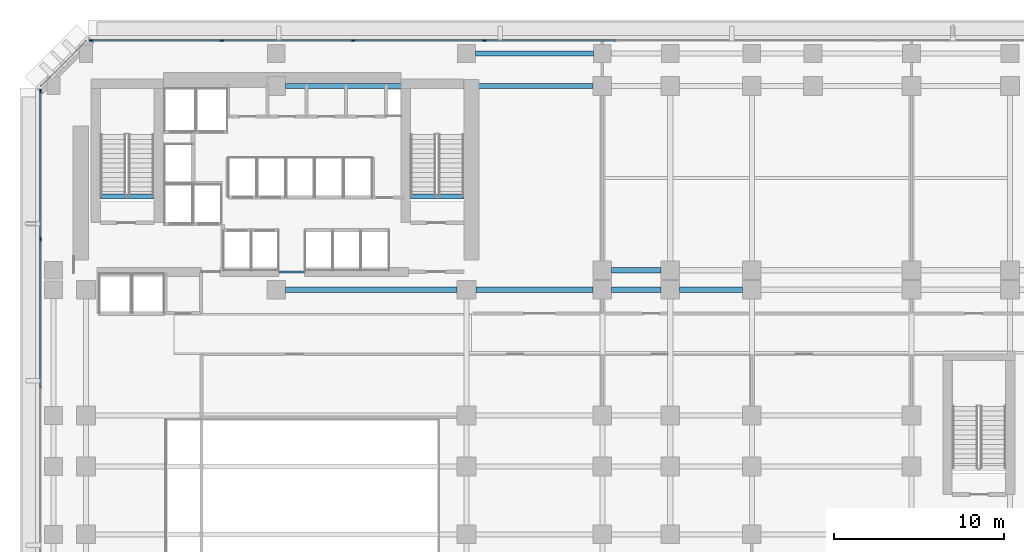
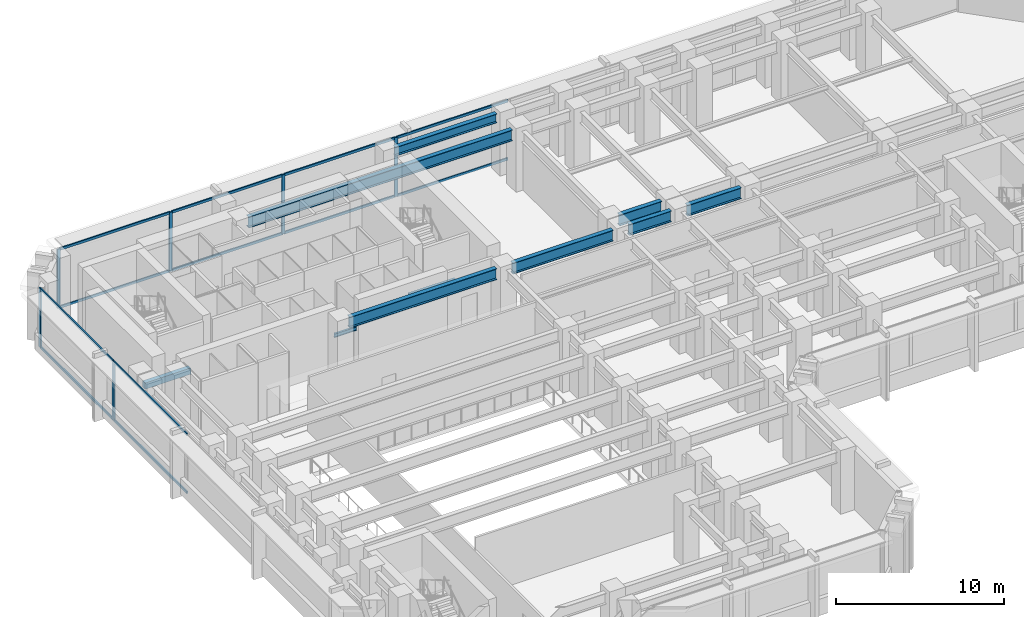
# One storey, part 4 of 16: 18 members, 10 beams, 2 elements without a shape of their own.
"""IFC4 building model written with IfcOpenShell, lengths in metres."""

from ifc_helpers import new_model, si_unit, direction, frame, origin, origin_2d, place, context, subcontext, project, spatial, rectangle, i_section, extrude, material, layer, layer_set, material_profile, profile_set, type_object, element, aggregate, save


model = new_model("IFC4")

# Units and contexts
model_context = context("Model", 3, precision=1e-05, world=origin(), true_north=direction((0.0, 1.0)))
body_context = subcontext(model_context, "Body", "Model", "MODEL_VIEW")
ifc_project = project(units=[si_unit("LENGTHUNIT", "METRE"), si_unit("AREAUNIT", "SQUARE_METRE"), si_unit("VOLUMEUNIT", "CUBIC_METRE"), si_unit("PLANEANGLEUNIT", "RADIAN"), si_unit("MASSUNIT", "GRAM", prefix="KILO")], contexts=[model_context])

# Site, building, storey
site_placement = place(None, origin())
site = spatial("IfcSite", under=ifc_project, at=site_placement, CompositionType="ELEMENT")
building_placement = place(site_placement, origin())
building = spatial("IfcBuilding", under=site, at=building_placement, Name="Kefirva Bronze Tower", CompositionType="ELEMENT")
storey_placement = place(building_placement, frame((0.0, 0.0, 16.5)))
storey = spatial("IfcBuildingStorey", under=building, at=storey_placement, Name="L03", CompositionType="ELEMENT", Elevation=16.5)

# Curtain wall, members
ifc_material_1 = material(Name="Bronze anodised aluminium", Category="aluminium")
ifc_layer = layer(ifc_material_1, 0.239990234375, Name="Bronze anodised aluminium")
ifc_layer_set = layer_set([ifc_layer], Name="Bronze anodised aluminium")
curtain_wall_type = type_object("IfcCurtainWallType", Name="Podium Double-Height Glazed Curtain Wall", PredefinedType="USERDEFINED", material=ifc_layer_set)
curtain_wall_1_placement = place(storey_placement, origin())
curtain_wall_1 = element("IfcCurtainWall", 1, at=curtain_wall_1_placement, inside=storey, type_object=curtain_wall_type, Name="L03 Curtain Wall 4", ObjectType="UNITISED CURTAIN WALL", PredefinedType="USERDEFINED")
ifc_material_profile_1 = material_profile(ifc_material_1, rectangle(XDim=0.090087890625, YDim=0.219970703125, at=origin_2d()), Name="ALU 90x220")
ifc_profile_set_1 = profile_set([ifc_material_profile_1], Name="Bronze anodised aluminium")
member_type_1 = type_object("IfcMemberType", Name="Bronze Mullion 90x220", PredefinedType="MULLION", material=ifc_profile_set_1)
member_1_placement = place(storey_placement, frame((24.263671875, 47.8798828125, 0.0), z_axis=(0.0, 0.0, 1.0), x_axis=(0.0, -1.0, 0.0)))
member_1 = element("IfcMember", 2, at=member_1_placement, type_object=member_type_1, Name="CW-05 mullion 6", PredefinedType="MULLION", context=body_context, shape_type="SweptSolid", body=[
    extrude(rectangle(XDim=0.090087890625, YDim=0.219970703125, at=origin_2d()), origin(), (0.0, 0.0, 1.0), 4.300048828125),
])
member_2_placement = place(storey_placement, frame((16.527587890625, 47.8798828125, 0.0), z_axis=(0.0, 0.0, 1.0), x_axis=(0.0, -1.0, 0.0)))
member_2 = element("IfcMember", 3, at=member_2_placement, type_object=member_type_1, Name="CW-05 mullion 7", PredefinedType="MULLION", context=body_context, shape_type="SweptSolid", body=[
    extrude(rectangle(XDim=0.090087890625, YDim=0.219970703125, at=origin_2d()), origin(), (0.0, 0.0, 1.0), 4.300048828125),
])
member_3_placement = place(storey_placement, frame((8.791259765625, 47.8798828125, 0.0), z_axis=(0.0, 0.0, 1.0), x_axis=(0.0, -1.0, 0.0)))
member_3 = element("IfcMember", 4, at=member_3_placement, type_object=member_type_1, Name="CW-05 mullion 8", PredefinedType="MULLION", context=body_context, shape_type="SweptSolid", body=[
    extrude(rectangle(XDim=0.090087890625, YDim=0.219970703125, at=origin_2d()), origin(), (0.0, 0.0, 1.0), 4.300048828125),
])
member_4_placement = place(storey_placement, frame((1.10009765625, 47.8798828125, 0.0), z_axis=(0.0, 0.0, 1.0), x_axis=(0.0, -1.0, 0.0)))
member_4 = element("IfcMember", 5, at=member_4_placement, type_object=member_type_1, Name="CW-05 mullion 9", PredefinedType="MULLION", context=body_context, shape_type="SweptSolid", body=[
    extrude(rectangle(XDim=0.090087890625, YDim=0.219970703125, at=origin_2d()), origin(), (0.0, 0.0, 1.0), 4.300048828125),
])

curtain_wall_2_placement = place(storey_placement, origin())
curtain_wall_2 = element("IfcCurtainWall", 6, at=curtain_wall_2_placement, inside=storey, type_object=curtain_wall_type, Name="L03 Curtain Wall 5", ObjectType="UNITISED CURTAIN WALL", PredefinedType="USERDEFINED")
member_5_placement = place(storey_placement, frame((-1.8798828125, 44.89990234375, 0.0), z_axis=(0.0, 0.0, 1.0), x_axis=(1.0, 0.0, 0.0)))
member_5 = element("IfcMember", 7, at=member_5_placement, type_object=member_type_1, Name="CW-05 mullion 1", PredefinedType="MULLION", context=body_context, shape_type="SweptSolid", body=[
    extrude(rectangle(XDim=0.090087890625, YDim=0.219970703125, at=origin_2d()), origin(), (0.0, 0.0, 1.0), 4.300048828125),
])
member_6_placement = place(storey_placement, frame((-1.8798828125, 36.1669921875, 0.0), z_axis=(0.0, 0.0, 1.0), x_axis=(1.0, 0.0, 0.0)))
member_6 = element("IfcMember", 8, at=member_6_placement, type_object=member_type_1, Name="CW-05 mullion 2", PredefinedType="MULLION", context=body_context, shape_type="SweptSolid", body=[
    extrude(rectangle(XDim=0.090087890625, YDim=0.219970703125, at=origin_2d()), origin(), (0.0, 0.0, 1.0), 4.300048828125),
])

# Member
ifc_material_profile_2 = material_profile(ifc_material_1, rectangle(XDim=0.090087890625, YDim=0.179931640625, at=origin_2d()), Name="ALU 90x180")
ifc_profile_set_2 = profile_set([ifc_material_profile_2], Name="Bronze anodised aluminium")
member_type_2 = type_object("IfcMemberType", Name="Bronze Transom 90x180", PredefinedType="USERDEFINED", material=ifc_profile_set_2)
member_7_placement = place(storey_placement, frame((31.955078125, 47.8798828125, 0.044921875), z_axis=(-1.0, 0.0, 0.0), x_axis=(0.0, -1.0, 0.0)))
member_7 = element("IfcMember", 9, at=member_7_placement, type_object=member_type_2, Name="CW-05 transom 5.1", ObjectType="TRANSOM", PredefinedType="USERDEFINED", context=body_context, shape_type="SweptSolid", body=[
    extrude(rectangle(XDim=0.090087890625, YDim=0.179931640625, at=origin_2d()), origin(), (0.0, 0.0, 1.0), 7.646240234375),
])

member_8_placement = place(storey_placement, frame((31.955078125, 47.8798828125, 4.2548828125), z_axis=(-1.0, 0.0, 0.0), x_axis=(0.0, -1.0, 0.0)))
member_8 = element("IfcMember", 10, at=member_8_placement, type_object=member_type_2, Name="CW-05 transom 5.2", ObjectType="TRANSOM", PredefinedType="USERDEFINED", context=body_context, shape_type="SweptSolid", body=[
    extrude(rectangle(XDim=0.090087890625, YDim=0.179931640625, at=origin_2d()), origin(), (0.0, 0.0, 1.0), 7.646240234375),
])

member_9_placement = place(storey_placement, frame((24.21875, 47.8798828125, 0.044921875), z_axis=(-1.0, 0.0, 0.0), x_axis=(0.0, -1.0, 0.0)))
member_9 = element("IfcMember", 11, at=member_9_placement, type_object=member_type_2, Name="CW-05 transom 6.1", ObjectType="TRANSOM", PredefinedType="USERDEFINED", context=body_context, shape_type="SweptSolid", body=[
    extrude(rectangle(XDim=0.090087890625, YDim=0.179931640625, at=origin_2d()), origin(), (0.0, 0.0, 1.0), 7.646240234375),
])

member_10_placement = place(storey_placement, frame((24.21875, 47.8798828125, 4.2548828125), z_axis=(-1.0, 0.0, 0.0), x_axis=(0.0, -1.0, 0.0)))
member_10 = element("IfcMember", 12, at=member_10_placement, type_object=member_type_2, Name="CW-05 transom 6.2", ObjectType="TRANSOM", PredefinedType="USERDEFINED", context=body_context, shape_type="SweptSolid", body=[
    extrude(rectangle(XDim=0.090087890625, YDim=0.179931640625, at=origin_2d()), origin(), (0.0, 0.0, 1.0), 7.646240234375),
])

member_11_placement = place(storey_placement, frame((16.482421875, 47.8798828125, 0.044921875), z_axis=(-1.0, 0.0, 0.0), x_axis=(0.0, -1.0, 0.0)))
member_11 = element("IfcMember", 13, at=member_11_placement, type_object=member_type_2, Name="CW-05 transom 7.1", ObjectType="TRANSOM", PredefinedType="USERDEFINED", context=body_context, shape_type="SweptSolid", body=[
    extrude(rectangle(XDim=0.090087890625, YDim=0.179931640625, at=origin_2d()), origin(), (0.0, 0.0, 1.0), 7.646240234375),
])

member_12_placement = place(storey_placement, frame((16.482421875, 47.8798828125, 4.2548828125), z_axis=(-1.0, 0.0, 0.0), x_axis=(0.0, -1.0, 0.0)))
member_12 = element("IfcMember", 14, at=member_12_placement, type_object=member_type_2, Name="CW-05 transom 7.2", ObjectType="TRANSOM", PredefinedType="USERDEFINED", context=body_context, shape_type="SweptSolid", body=[
    extrude(rectangle(XDim=0.090087890625, YDim=0.179931640625, at=origin_2d()), origin(), (0.0, 0.0, 1.0), 7.646240234375),
])

member_13_placement = place(storey_placement, frame((8.746337890625, 47.8798828125, 0.044921875), z_axis=(-1.0, 0.0, 0.0), x_axis=(0.0, -1.0, 0.0)))
member_13 = element("IfcMember", 15, at=member_13_placement, type_object=member_type_2, Name="CW-05 transom 8.1", ObjectType="TRANSOM", PredefinedType="USERDEFINED", context=body_context, shape_type="SweptSolid", body=[
    extrude(rectangle(XDim=0.090087890625, YDim=0.179931640625, at=origin_2d()), origin(), (0.0, 0.0, 1.0), 7.601318359375),
])

member_14_placement = place(storey_placement, frame((8.746337890625, 47.8798828125, 4.2548828125), z_axis=(-1.0, 0.0, 0.0), x_axis=(0.0, -1.0, 0.0)))
member_14 = element("IfcMember", 16, at=member_14_placement, type_object=member_type_2, Name="CW-05 transom 8.2", ObjectType="TRANSOM", PredefinedType="USERDEFINED", context=body_context, shape_type="SweptSolid", body=[
    extrude(rectangle(XDim=0.090087890625, YDim=0.179931640625, at=origin_2d()), origin(), (0.0, 0.0, 1.0), 7.601318359375),
])

aggregate(curtain_wall_1, [member_1, member_2, member_3, member_4, member_7, member_8, member_9, member_10, member_11, member_12, member_13, member_14])

member_15_placement = place(storey_placement, frame((-1.8798828125, 44.85498046875, 0.044921875), z_axis=(0.0, -1.0, 0.0), x_axis=(1.0, 0.0, 0.0)))
member_15 = element("IfcMember", 17, at=member_15_placement, type_object=member_type_2, Name="CW-05 transom 1.1", ObjectType="TRANSOM", PredefinedType="USERDEFINED", context=body_context, shape_type="SweptSolid", body=[
    extrude(rectangle(XDim=0.090087890625, YDim=0.179931640625, at=origin_2d()), origin(), (0.0, 0.0, 1.0), 8.64306640625),
])

member_16_placement = place(storey_placement, frame((-1.8798828125, 44.85498046875, 4.2548828125), z_axis=(0.0, -1.0, 0.0), x_axis=(1.0, 0.0, 0.0)))
member_16 = element("IfcMember", 18, at=member_16_placement, type_object=member_type_2, Name="CW-05 transom 1.2", ObjectType="TRANSOM", PredefinedType="USERDEFINED", context=body_context, shape_type="SweptSolid", body=[
    extrude(rectangle(XDim=0.090087890625, YDim=0.179931640625, at=origin_2d()), origin(), (0.0, 0.0, 1.0), 8.64306640625),
])

member_17_placement = place(storey_placement, frame((-1.8798828125, 36.1220703125, 0.044921875), z_axis=(0.0, -1.0, 0.0), x_axis=(1.0, 0.0, 0.0)))
member_17 = element("IfcMember", 19, at=member_17_placement, type_object=member_type_2, Name="CW-05 transom 2.1", ObjectType="TRANSOM", PredefinedType="USERDEFINED", context=body_context, shape_type="SweptSolid", body=[
    extrude(rectangle(XDim=0.090087890625, YDim=0.179931640625, at=origin_2d()), origin(), (0.0, 0.0, 1.0), 8.68798828125),
])

member_18_placement = place(storey_placement, frame((-1.8798828125, 36.1220703125, 4.2548828125), z_axis=(0.0, -1.0, 0.0), x_axis=(1.0, 0.0, 0.0)))
member_18 = element("IfcMember", 20, at=member_18_placement, type_object=member_type_2, Name="CW-05 transom 2.2", ObjectType="TRANSOM", PredefinedType="USERDEFINED", context=body_context, shape_type="SweptSolid", body=[
    extrude(rectangle(XDim=0.090087890625, YDim=0.179931640625, at=origin_2d()), origin(), (0.0, 0.0, 1.0), 8.68798828125),
])

aggregate(curtain_wall_2, [member_5, member_6, member_15, member_16, member_17, member_18])

# Beams
ifc_material_2 = material(Name="Concrete C50/60", Category="concrete")
ifc_material_profile_3 = material_profile(ifc_material_2, rectangle(XDim=0.300048828125, YDim=0.449951171875, at=origin_2d()), Name="RC 300x450")
ifc_profile_set_3 = profile_set([ifc_material_profile_3], Name="Concrete C50/60")
beam_type_1 = type_object("IfcBeamType", Name="RC Stair Trimmer Beam 300x450", PredefinedType="BEAM", material=ifc_profile_set_3)
beam_1_placement = place(storey_placement, frame((1.64501953125, 38.699951171875, -0.22509765625), z_axis=(1.0, 0.0, 0.0), x_axis=(0.0, 1.0, 0.0)))
element("IfcBeam", 21, at=beam_1_placement, inside=storey, type_object=beam_type_1, Name="L03 Stair 1 Landing Trimmer Beam", PredefinedType="BEAM", context=body_context, shape_type="SweptSolid", body=[
    extrude(rectangle(XDim=0.300048828125, YDim=0.449951171875, at=origin_2d()), origin(), (0.0, 0.0, 1.0), 3.14990234375),
])
beam_2_placement = place(storey_placement, frame((19.89501953125, 38.699951171875, -0.22509765625), z_axis=(1.0, 0.0, 0.0), x_axis=(0.0, 1.0, 0.0)))
element("IfcBeam", 22, at=beam_2_placement, inside=storey, type_object=beam_type_1, Name="L03 Stair 2 Landing Trimmer Beam", PredefinedType="BEAM", context=body_context, shape_type="SweptSolid", body=[
    extrude(rectangle(XDim=0.300048828125, YDim=0.449951171875, at=origin_2d()), origin(), (0.0, 0.0, 1.0), 3.159912109375),
])
ifc_material_3 = material(Name="Steel S355", Category="steel")
ifc_material_profile_4 = material_profile(ifc_material_3, i_section(OverallWidth=0.300048828125, OverallDepth=0.800048828125, WebThickness=0.017578125, FlangeThickness=0.032958984375, at=origin_2d()), Name="HEB 800")
ifc_profile_set_4 = profile_set([ifc_material_profile_4], Name="Steel S355")
beam_type_2 = type_object("IfcBeamType", Name="Steel Girder HEB 800", PredefinedType="USERDEFINED", material=ifc_profile_set_4)
beam_3_placement = place(storey_placement, frame((12.550048828125, 33.199951171875, 3.89990234375), z_axis=(1.0, 0.0, 0.0), x_axis=(0.0, 1.0, 0.0)))
element("IfcBeam", 23, at=beam_3_placement, inside=storey, type_object=beam_type_2, Name="L03 BM-L03-EW-12-332", ObjectType="GIRDER", PredefinedType="USERDEFINED", context=body_context, shape_type="SweptSolid", body=[
    extrude(i_section(OverallWidth=0.300048828125, OverallDepth=0.800048828125, WebThickness=0.017578125, FlangeThickness=0.032958984375, at=origin_2d()), origin(), (0.0, 0.0, 1.0), 10.099853515625),
])
beam_4_placement = place(storey_placement, frame((23.75, 33.199951171875, 3.89990234375), z_axis=(1.0, 0.0, 0.0), x_axis=(0.0, 1.0, 0.0)))
element("IfcBeam", 24, at=beam_4_placement, inside=storey, type_object=beam_type_2, Name="L03 BM-L03-EW-23-332", ObjectType="GIRDER", PredefinedType="USERDEFINED", context=body_context, shape_type="SweptSolid", body=[
    extrude(i_section(OverallWidth=0.300048828125, OverallDepth=0.800048828125, WebThickness=0.017578125, FlangeThickness=0.032958984375, at=origin_2d()), origin(), (0.0, 0.0, 1.0), 6.89990234375),
])
beam_5_placement = place(storey_placement, frame((31.75, 33.199951171875, 3.89990234375), z_axis=(1.0, 0.0, 0.0), x_axis=(0.0, 1.0, 0.0)))
element("IfcBeam", 25, at=beam_5_placement, inside=storey, type_object=beam_type_2, Name="L03 BM-L03-EW-31-332", ObjectType="GIRDER", PredefinedType="USERDEFINED", context=body_context, shape_type="SweptSolid", body=[
    extrude(i_section(OverallWidth=0.300048828125, OverallDepth=0.800048828125, WebThickness=0.017578125, FlangeThickness=0.032958984375, at=origin_2d()), origin(), (0.0, 0.0, 1.0), 2.89990234375),
])
beam_6_placement = place(storey_placement, frame((35.75, 33.199951171875, 3.89990234375), z_axis=(1.0, 0.0, 0.0), x_axis=(0.0, 1.0, 0.0)))
element("IfcBeam", 26, at=beam_6_placement, inside=storey, type_object=beam_type_2, Name="L03 BM-L03-EW-35-332", ObjectType="GIRDER", PredefinedType="USERDEFINED", context=body_context, shape_type="SweptSolid", body=[
    extrude(i_section(OverallWidth=0.300048828125, OverallDepth=0.800048828125, WebThickness=0.017578125, FlangeThickness=0.032958984375, at=origin_2d()), origin(), (0.0, 0.0, 1.0), 3.699951171875),
])
beam_7_placement = place(storey_placement, frame((31.75, 34.35009765625, 3.89990234375), z_axis=(1.0, 0.0, 0.0), x_axis=(0.0, 1.0, 0.0)))
element("IfcBeam", 27, at=beam_7_placement, inside=storey, type_object=beam_type_2, Name="L03 BM-L03-EW-31-344", ObjectType="GIRDER", PredefinedType="USERDEFINED", context=body_context, shape_type="SweptSolid", body=[
    extrude(i_section(OverallWidth=0.300048828125, OverallDepth=0.800048828125, WebThickness=0.017578125, FlangeThickness=0.032958984375, at=origin_2d()), origin(), (0.0, 0.0, 1.0), 2.89990234375),
])
beam_8_placement = place(storey_placement, frame((12.550048828125, 45.199951171875, 3.89990234375), z_axis=(1.0, 0.0, 0.0), x_axis=(0.0, 1.0, 0.0)))
element("IfcBeam", 28, at=beam_8_placement, inside=storey, type_object=beam_type_2, Name="L03 BM-L03-EW-12-452", ObjectType="GIRDER", PredefinedType="USERDEFINED", context=body_context, shape_type="SweptSolid", body=[
    extrude(i_section(OverallWidth=0.300048828125, OverallDepth=0.800048828125, WebThickness=0.017578125, FlangeThickness=0.032958984375, at=origin_2d()), origin(), (0.0, 0.0, 1.0), 18.099853515625),
])
ifc_material_profile_5 = material_profile(ifc_material_3, i_section(OverallWidth=0.135009765625, OverallDepth=0.27001953125, WebThickness=0.006591796875, FlangeThickness=0.01025390625, at=origin_2d()), Name="IPE 270")
ifc_profile_set_5 = profile_set([ifc_material_profile_5], Name="Steel S355")
beam_type_3 = type_object("IfcBeamType", Name="Steel Opening Lintel IPE 270", PredefinedType="LINTEL", material=ifc_profile_set_5)
beam_9_placement = place(storey_placement, frame((12.159912109375, 34.25, 2.39990234375), z_axis=(1.0, 0.0, 0.0), x_axis=(0.0, 1.0, 0.0)))
element("IfcBeam", 29, at=beam_9_placement, inside=storey, type_object=beam_type_3, Name="L03 Core Lobby Lintel", PredefinedType="LINTEL", context=body_context, shape_type="SweptSolid", body=[
    extrude(i_section(OverallWidth=0.135009765625, OverallDepth=0.27001953125, WebThickness=0.006591796875, FlangeThickness=0.01025390625, at=origin_2d()), origin(), (0.0, 0.0, 1.0), 1.52001953125),
])
ifc_material_profile_6 = material_profile(ifc_material_3, i_section(OverallWidth=0.300048828125, OverallDepth=0.64990234375, WebThickness=0.01611328125, FlangeThickness=0.031005859375, at=origin_2d()), Name="HEB 650")
ifc_profile_set_6 = profile_set([ifc_material_profile_6], Name="Steel S355")
beam_type_4 = type_object("IfcBeamType", Name="Steel Spandrel HEB 650 Ext", PredefinedType="SPANDREL", material=ifc_profile_set_6)
beam_10_placement = place(storey_placement, frame((23.72509765625, 47.10009765625, 3.97509765625), z_axis=(1.0, 0.0, 0.0), x_axis=(0.0, 1.0, 0.0)))
element("IfcBeam", 30, at=beam_10_placement, inside=storey, type_object=beam_type_4, Name="L03 BM-L03-EW-23-471", PredefinedType="SPANDREL", context=body_context, shape_type="SweptSolid", body=[
    extrude(i_section(OverallWidth=0.300048828125, OverallDepth=0.64990234375, WebThickness=0.01611328125, FlangeThickness=0.031005859375, at=origin_2d()), origin(), (0.0, 0.0, 1.0), 6.949951171875),
])

save(model, "model.ifc")
